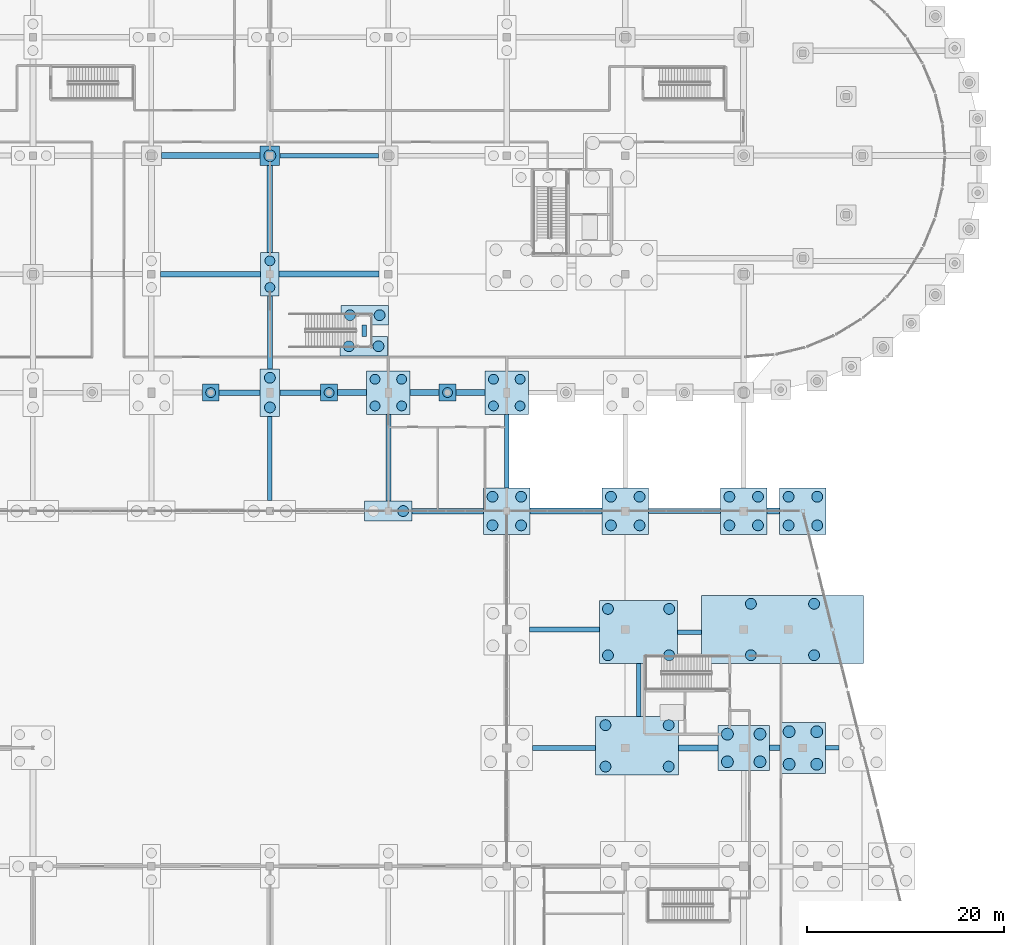
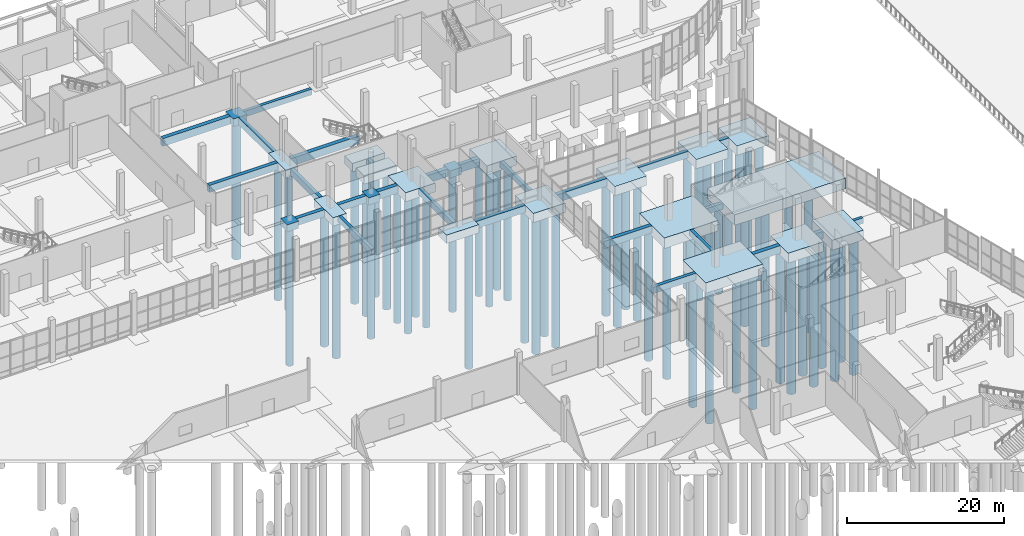
# One storey, part 10 of 117: 57 piles, 46 footings.
"""IFC4 building model written with IfcOpenShell, lengths in metres."""

from ifc_helpers import new_model, si_unit, direction, frame, origin, origin_2d, place, context, subcontext, project, spatial, rectangle, circle, extrude, material, material_profile, profile_set, type_object, element, save


model = new_model("IFC4")

# Units and contexts
model_context = context("Model", 3, precision=1e-05, world=origin(), true_north=direction((0.0, 1.0)))
body_context = subcontext(model_context, "Body", "Model", "MODEL_VIEW")
ifc_project = project(units=[si_unit("LENGTHUNIT", "METRE"), si_unit("AREAUNIT", "SQUARE_METRE"), si_unit("VOLUMEUNIT", "CUBIC_METRE"), si_unit("PLANEANGLEUNIT", "RADIAN"), si_unit("MASSUNIT", "GRAM", prefix="KILO")], contexts=[model_context])

# Site, building, storey
site_placement = place(None, origin())
site = spatial("IfcSite", under=ifc_project, at=site_placement, CompositionType="ELEMENT")
building_placement = place(site_placement, origin())
building = spatial("IfcBuilding", under=site, at=building_placement, Name="Kamomehara Wholesale Market", CompositionType="ELEMENT")
storey_placement = place(building_placement, origin())
storey = spatial("IfcBuildingStorey", under=building, at=storey_placement, Name="L00", CompositionType="ELEMENT", Elevation=0.0)

# Footings
ifc_material_1 = material(Name="Concrete Fc30 (C30/37)", Category="concrete")
footing_type_1 = type_object("IfcFootingType", Name="CAP-1P-1700", PredefinedType="PILE_CAP", material=ifc_material_1)
for number, where, z_axis, x_axis, name in (
    (1, (126.0, 108.0, -1.10009765625), (0.0, 0.0, 1.0), (1.0, 0.0, 0.0), "Pile cap PC-01"),
    (2, (138.0, 108.0, -1.10009765625), (0.0, 0.0, 1.0), (1.0, 0.0, 0.0), "Pile cap PC-01"),
    (3, (150.0, 108.0, -1.10009765625), (0.0, 0.0, 1.0), (1.0, 0.0, 0.0), "Pile cap PC-01"),
):
    element("IfcFooting", number, at=place(storey_placement, frame(where, z_axis=z_axis, x_axis=x_axis)), inside=storey, type_object=footing_type_1, Name=name, PredefinedType="PILE_CAP", context=body_context, shape_type="SweptSolid", body=[
        extrude(rectangle(XDim=1.699951171875, YDim=1.699951171875, at=origin_2d()), origin(), (0.0, 0.0, 1.0), 1.10009765625),
    ])
ifc_material_2 = material(Name="Concrete Fc30 (C30/37)", Category="concrete")
footing_type_2 = type_object("IfcFootingType", Name="CAP-1P-2000", PredefinedType="PILE_CAP", material=ifc_material_2)
footing_1_placement = place(storey_placement, frame((132.0, 132.0, -1.2001953125), z_axis=(0.0, 0.0, 1.0), x_axis=(1.0, 0.0, 0.0)))
element("IfcFooting", 4, at=footing_1_placement, inside=storey, type_object=footing_type_2, Name="Pile cap PC-03", PredefinedType="PILE_CAP", context=body_context, shape_type="SweptSolid", body=[
    extrude(rectangle(XDim=2.0, YDim=2.0, at=origin_2d()), origin(), (0.0, 0.0, 1.0), 1.199951171875),
])
ifc_material_3 = material(Name="Concrete Fc30 (C30/37)", Category="concrete")
footing_type_3 = type_object("IfcFootingType", Name="CAP-2PX-4800", PredefinedType="PILE_CAP", material=ifc_material_3)
for number, where, z_axis, x_axis, name in (
    (5, (141.501953125, 112.699951171875, -1.2998046875), (0.0, 0.0, 1.0), (1.0, 0.0, 0.0), "Pile cap PC-06"),
    (6, (141.614990234375, 115.840087890625, -1.2998046875), (0.0, 0.0, 1.0), (1.0, 0.0, 0.0), "Pile cap PC-06"),
    (7, (144.0, 96.0, -1.2998046875), (0.0, 0.0, 1.0), (1.0, 0.0, 0.0), "Pile cap PC-06"),
):
    element("IfcFooting", number, at=place(storey_placement, frame(where, z_axis=z_axis, x_axis=x_axis)), inside=storey, type_object=footing_type_3, Name=name, PredefinedType="PILE_CAP", context=body_context, shape_type="SweptSolid", body=[
        extrude(rectangle(XDim=4.800048828125, YDim=2.0, at=origin_2d()), origin(), (0.0, 0.0, 1.0), 1.300048828125),
    ])
ifc_material_4 = material(Name="Concrete Fc30 (C30/37)", Category="concrete")
footing_type_4 = type_object("IfcFootingType", Name="CAP-2PY-4400", PredefinedType="PILE_CAP", material=ifc_material_4)
footing_2_placement = place(storey_placement, frame((132.0, 120.0, -1.25), z_axis=(0.0, 0.0, 1.0), x_axis=(1.0, 0.0, 0.0)))
element("IfcFooting", 8, at=footing_2_placement, inside=storey, type_object=footing_type_4, Name="Pile cap PC-05", PredefinedType="PILE_CAP", context=body_context, shape_type="SweptSolid", body=[
    extrude(rectangle(XDim=1.85009765625, YDim=4.39990234375, at=origin_2d()), origin(), (0.0, 0.0, 1.0), 1.25),
])
ifc_material_5 = material(Name="Concrete Fc30 (C30/37)", Category="concrete")
footing_type_5 = type_object("IfcFootingType", Name="CAP-2PY-4800", PredefinedType="PILE_CAP", material=ifc_material_5)
footing_3_placement = place(storey_placement, frame((132.0, 108.0, -1.2998046875), z_axis=(0.0, 0.0, 1.0), x_axis=(1.0, 0.0, 0.0)))
element("IfcFooting", 9, at=footing_3_placement, inside=storey, type_object=footing_type_5, Name="Pile cap PC-07", PredefinedType="PILE_CAP", context=body_context, shape_type="SweptSolid", body=[
    extrude(rectangle(XDim=2.0, YDim=4.800048828125, at=origin_2d()), origin(), (0.0, 0.0, 1.0), 1.300048828125),
])
ifc_material_6 = material(Name="Concrete Fc30 (C30/37)", Category="concrete")
footing_type_6 = type_object("IfcFootingType", Name="CAP-4P-4400", PredefinedType="PILE_CAP", material=ifc_material_6)
for number, where, z_axis, x_axis, name in (
    (10, (144.0, 108.0, -1.39990234375), (0.0, 0.0, 1.0), (1.0, 0.0, 0.0), "Pile cap PC-10"),
    (11, (156.0, 108.0, -1.39990234375), (0.0, 0.0, 1.0), (1.0, 0.0, 0.0), "Pile cap PC-10"),
):
    element("IfcFooting", number, at=place(storey_placement, frame(where, z_axis=z_axis, x_axis=x_axis)), inside=storey, type_object=footing_type_6, Name=name, PredefinedType="PILE_CAP", context=body_context, shape_type="SweptSolid", body=[
        extrude(rectangle(XDim=4.39990234375, YDim=4.39990234375, at=origin_2d()), origin(), (0.0, 0.0, 1.0), 1.39990234375),
    ])
ifc_material_7 = material(Name="Concrete Fc30 (C30/37)", Category="concrete")
footing_type_7 = type_object("IfcFootingType", Name="CAP-4P-4700", PredefinedType="PILE_CAP", material=ifc_material_7)
for number, where, z_axis, x_axis, name in (
    (12, (156.0, 96.0, -1.4501953125), (0.0, 0.0, 1.0), (1.0, 0.0, 0.0), "Pile cap PC-11"),
    (13, (168.0, 96.0, -1.4501953125), (0.0, 0.0, 1.0), (1.0, 0.0, 0.0), "Pile cap PC-11"),
    (14, (180.0, 96.0, -1.4501953125), (0.0, 0.0, 1.0), (1.0, 0.0, 0.0), "Pile cap PC-11"),
    (15, (186.0, 96.0, -1.4501953125), (0.0, 0.0, 1.0), (1.0, 0.0, 0.0), "Pile cap PC-11"),
):
    element("IfcFooting", number, at=place(storey_placement, frame(where, z_axis=z_axis, x_axis=x_axis)), inside=storey, type_object=footing_type_7, Name=name, PredefinedType="PILE_CAP", context=body_context, shape_type="SweptSolid", body=[
        extrude(rectangle(XDim=4.699951171875, YDim=4.699951171875, at=origin_2d()), origin(), (0.0, 0.0, 1.0), 1.449951171875),
    ])
ifc_material_8 = material(Name="Concrete Fc30 (C30/37)", Category="concrete")
footing_type_8 = type_object("IfcFootingType", Name="CAP-4PR-4600", PredefinedType="PILE_CAP", material=ifc_material_8)
footing_4_placement = place(storey_placement, frame((186.0, 72.0, -1.5498046875), z_axis=(0.0, 0.0, 1.0), x_axis=(1.0, 0.0, 0.0)))
element("IfcFooting", 16, at=footing_4_placement, inside=storey, type_object=footing_type_8, Name="Pile cap PC-16", PredefinedType="PILE_CAP", context=body_context, shape_type="SweptSolid", body=[
    extrude(rectangle(XDim=4.60009765625, YDim=5.199951171875, at=origin_2d()), origin(), (0.0, 0.0, 1.0), 1.550048828125),
])
ifc_material_9 = material(Name="Concrete Fc30 (C30/37)", Category="concrete")
footing_type_9 = type_object("IfcFootingType", Name="CAP-4PR-5200", PredefinedType="PILE_CAP", material=ifc_material_9)
footing_5_placement = place(storey_placement, frame((180.0, 72.0, -1.5498046875), z_axis=(0.0, 0.0, 1.0), x_axis=(1.0, 0.0, 0.0)))
element("IfcFooting", 17, at=footing_5_placement, inside=storey, type_object=footing_type_9, Name="Pile cap PC-15", PredefinedType="PILE_CAP", context=body_context, shape_type="SweptSolid", body=[
    extrude(rectangle(XDim=5.199951171875, YDim=4.60009765625, at=origin_2d()), origin(), (0.0, 0.0, 1.0), 1.550048828125),
])
ifc_material_10 = material(Name="Concrete Fc30 (C30/37)", Category="concrete")
footing_type_10 = type_object("IfcFootingType", Name="CAP-CMB-1640x690", PredefinedType="PILE_CAP", material=ifc_material_10)
footing_6_placement = place(storey_placement, frame((183.930908203125, 84.0, -1.64990234375), z_axis=(0.0, 0.0, 1.0), x_axis=(1.0, 0.0, 0.0)))
element("IfcFooting", 18, at=footing_6_placement, inside=storey, type_object=footing_type_10, Name="Pile cap PCC-164x69", PredefinedType="PILE_CAP", context=body_context, shape_type="SweptSolid", body=[
    extrude(rectangle(XDim=16.39990234375, YDim=6.89990234375, at=origin_2d()), origin(), (0.0, 0.0, 1.0), 1.64990234375),
])
ifc_material_11 = material(Name="Concrete Fc30 (C30/37)", Category="concrete")
footing_type_11 = type_object("IfcFootingType", Name="CAP-CMB-790x640", PredefinedType="PILE_CAP", material=ifc_material_11)
footing_7_placement = place(storey_placement, frame((169.35009765625, 83.737060546875, -1.64990234375), z_axis=(0.0, 0.0, 1.0), x_axis=(1.0, 0.0, 0.0)))
element("IfcFooting", 19, at=footing_7_placement, inside=storey, type_object=footing_type_11, Name="Pile cap PCC-79x64", PredefinedType="PILE_CAP", context=body_context, shape_type="SweptSolid", body=[
    extrude(rectangle(XDim=7.89990234375, YDim=6.39990234375, at=origin_2d()), origin(), (0.0, 0.0, 1.0), 1.64990234375),
])
ifc_material_12 = material(Name="Concrete Fc30 (C30/37)", Category="concrete")
footing_type_12 = type_object("IfcFootingType", Name="CAP-CMB-840x590", PredefinedType="PILE_CAP", material=ifc_material_12)
footing_8_placement = place(storey_placement, frame((169.199951171875, 72.212890625, -1.64990234375), z_axis=(0.0, 0.0, 1.0), x_axis=(1.0, 0.0, 0.0)))
element("IfcFooting", 20, at=footing_8_placement, inside=storey, type_object=footing_type_12, Name="Pile cap PCC-84x59", PredefinedType="PILE_CAP", context=body_context, shape_type="SweptSolid", body=[
    extrude(rectangle(XDim=8.39990234375, YDim=5.89990234375, at=origin_2d()), origin(), (0.0, 0.0, 1.0), 1.64990234375),
])
ifc_material_13 = material(Name="Concrete Fc30 (C30/37)", Category="concrete")
ifc_material_profile_1 = material_profile(ifc_material_13, rectangle(XDim=0.449951171875, YDim=0.89990234375, at=origin_2d()), Name="RC-FTB-450x900")
ifc_profile_set_1 = profile_set([ifc_material_profile_1], Name="Concrete Fc30 (C30/37)")
footing_type_13 = type_object("IfcFootingType", Name="FTB-450x900", PredefinedType="FOOTING_BEAM", material=ifc_profile_set_1)
footing_9_placement = place(storey_placement, frame((133.001953125, 132.0, -0.449951171875), z_axis=(1.0, 0.0, 0.0), x_axis=(0.0, 1.0, 0.0)))
element("IfcFooting", 21, at=footing_9_placement, inside=storey, type_object=footing_type_13, Name="Foundation tie beam 139", PredefinedType="FOOTING_BEAM", context=body_context, shape_type="SweptSolid", body=[
    extrude(rectangle(XDim=0.449951171875, YDim=0.89990234375, at=origin_2d()), origin(), (0.0, 0.0, 1.0), 9.99609375),
])
footing_10_placement = place(storey_placement, frame((173.302001953125, 83.742919921875, -0.449951171875), z_axis=(1.0, 0.0, 0.0), x_axis=(0.0, 1.0, 0.0)))
element("IfcFooting", 22, at=footing_10_placement, inside=storey, type_object=footing_type_13, Name="Foundation tie beam 175", PredefinedType="FOOTING_BEAM", context=body_context, shape_type="SweptSolid", body=[
    extrude(rectangle(XDim=0.449951171875, YDim=0.89990234375, at=origin_2d()), origin(), (0.0, 0.0, 1.0), 2.427001953125),
])
footing_11_placement = place(storey_placement, frame((188.302001953125, 72.0, -0.449951171875), z_axis=(1.0, 0.0, 0.0), x_axis=(0.0, 1.0, 0.0)))
element("IfcFooting", 23, at=footing_11_placement, inside=storey, type_object=footing_type_13, Name="Foundation tie beam 195", PredefinedType="FOOTING_BEAM", context=body_context, shape_type="SweptSolid", body=[
    extrude(rectangle(XDim=0.449951171875, YDim=0.89990234375, at=origin_2d()), origin(), (0.0, 0.0, 1.0), 1.345947265625),
])
footing_12_placement = place(storey_placement, frame((132.0, 97.076904296875, -0.449951171875), z_axis=(0.0, 1.0, 0.0), x_axis=(-1.0, 0.0, 0.0)))
element("IfcFooting", 24, at=footing_12_placement, inside=storey, type_object=footing_type_13, Name="Foundation tie beam 303", PredefinedType="FOOTING_BEAM", context=body_context, shape_type="SweptSolid", body=[
    extrude(rectangle(XDim=0.449951171875, YDim=0.89990234375, at=origin_2d()), origin(), (0.0, 0.0, 1.0), 8.52099609375),
])
footing_13_placement = place(storey_placement, frame((156.0, 98.35205078125, -0.449951171875), z_axis=(0.0, 1.0, 0.0), x_axis=(-1.0, 0.0, 0.0)))
element("IfcFooting", 25, at=footing_13_placement, inside=storey, type_object=footing_type_13, Name="Foundation tie beam 323", PredefinedType="FOOTING_BEAM", context=body_context, shape_type="SweptSolid", body=[
    extrude(rectangle(XDim=0.449951171875, YDim=0.89990234375, at=origin_2d()), origin(), (0.0, 0.0, 1.0), 7.446044921875),
])
footing_14_placement = place(storey_placement, frame((169.35009765625, 75.1650390625, -0.449951171875), z_axis=(0.0, 1.0, 0.0), x_axis=(-1.0, 0.0, 0.0)))
element("IfcFooting", 26, at=footing_14_placement, inside=storey, type_object=footing_type_13, Name="Foundation tie beam 331", PredefinedType="FOOTING_BEAM", context=body_context, shape_type="SweptSolid", body=[
    extrude(rectangle(XDim=0.449951171875, YDim=0.89990234375, at=origin_2d()), origin(), (0.0, 0.0, 1.0), 5.369873046875),
])
ifc_material_14 = material(Name="Concrete Fc30 (C30/37)", Category="concrete")
ifc_material_profile_2 = material_profile(ifc_material_14, rectangle(XDim=0.5, YDim=1.0, at=origin_2d()), Name="RC-FTB-500x1000")
ifc_profile_set_2 = profile_set([ifc_material_profile_2], Name="Concrete Fc30 (C30/37)")
footing_type_14 = type_object("IfcFootingType", Name="FTB-500x1000", PredefinedType="FOOTING_BEAM", material=ifc_profile_set_2)
footing_15_placement = place(storey_placement, frame((158.60205078125, 72.0, -0.5), z_axis=(1.0, 0.0, 0.0), x_axis=(0.0, 1.0, 0.0)))
element("IfcFooting", 27, at=footing_15_placement, inside=storey, type_object=footing_type_14, Name="Foundation tie beam 160", PredefinedType="FOOTING_BEAM", context=body_context, shape_type="SweptSolid", body=[
    extrude(rectangle(XDim=0.5, YDim=1.0, at=origin_2d()), origin(), (0.0, 0.0, 1.0), 6.39599609375),
])
footing_16_placement = place(storey_placement, frame((170.35205078125, 96.0, -0.5), z_axis=(1.0, 0.0, 0.0), x_axis=(0.0, 1.0, 0.0)))
element("IfcFooting", 28, at=footing_16_placement, inside=storey, type_object=footing_type_14, Name="Foundation tie beam 176", PredefinedType="FOOTING_BEAM", context=body_context, shape_type="SweptSolid", body=[
    extrude(rectangle(XDim=0.5, YDim=1.0, at=origin_2d()), origin(), (0.0, 0.0, 1.0), 7.2958984375),
])
footing_17_placement = place(storey_placement, frame((132.0, 110.402099609375, -0.5), z_axis=(0.0, 1.0, 0.0), x_axis=(-1.0, 0.0, 0.0)))
element("IfcFooting", 29, at=footing_17_placement, inside=storey, type_object=footing_type_14, Name="Foundation tie beam 304", PredefinedType="FOOTING_BEAM", context=body_context, shape_type="SweptSolid", body=[
    extrude(rectangle(XDim=0.5, YDim=1.0, at=origin_2d()), origin(), (0.0, 0.0, 1.0), 7.39599609375),
])
footing_18_placement = place(storey_placement, frame((141.55908203125, 113.701904296875, -0.5), z_axis=(0.0, 1.0, 0.0), x_axis=(-1.0, 0.0, 0.0)))
element("IfcFooting", 30, at=footing_18_placement, inside=storey, type_object=footing_type_14, Name="Foundation tie beam 308", PredefinedType="FOOTING_BEAM", context=body_context, shape_type="SweptSolid", body=[
    extrude(rectangle(XDim=0.5, YDim=1.0, at=origin_2d()), origin(), (0.0, 0.0, 1.0), 1.135986328125),
])
footing_19_placement = place(storey_placement, frame((144.0, 97.001953125, -0.5), z_axis=(0.0, 1.0, 0.0), x_axis=(-1.0, 0.0, 0.0)))
element("IfcFooting", 31, at=footing_19_placement, inside=storey, type_object=footing_type_14, Name="Foundation tie beam 312", PredefinedType="FOOTING_BEAM", context=body_context, shape_type="SweptSolid", body=[
    extrude(rectangle(XDim=0.5, YDim=1.0, at=origin_2d()), origin(), (0.0, 0.0, 1.0), 8.796142578125),
])
ifc_material_15 = material(Name="Concrete Fc30 (C30/37)", Category="concrete")
ifc_material_profile_3 = material_profile(ifc_material_15, rectangle(XDim=0.550048828125, YDim=1.10009765625, at=origin_2d()), Name="RC-FTB-550x1100")
ifc_profile_set_3 = profile_set([ifc_material_profile_3], Name="Concrete Fc30 (C30/37)")
footing_type_15 = type_object("IfcFootingType", Name="FTB-550x1100", PredefinedType="FOOTING_BEAM", material=ifc_profile_set_3)
footing_20_placement = place(storey_placement, frame((120.927001953125, 120.0, -0.550048828125), z_axis=(1.0, 0.0, 0.0), x_axis=(0.0, 1.0, 0.0)))
element("IfcFooting", 32, at=footing_20_placement, inside=storey, type_object=footing_type_15, Name="Foundation tie beam 125", PredefinedType="FOOTING_BEAM", context=body_context, shape_type="SweptSolid", body=[
    extrude(rectangle(XDim=0.550048828125, YDim=1.10009765625, at=origin_2d()), origin(), (0.0, 0.0, 1.0), 10.14599609375),
])
for number, where, z_axis, x_axis, name in (
    (33, (126.85205078125, 108.0, -0.550048828125), (1.0, 0.0, 0.0), (0.0, 1.0, 0.0), "Foundation tie beam 129"),
    (34, (133.001953125, 108.0, -0.550048828125), (1.0, 0.0, 0.0), (0.0, 1.0, 0.0), "Foundation tie beam 137"),
):
    element("IfcFooting", number, at=place(storey_placement, frame(where, z_axis=z_axis, x_axis=x_axis)), inside=storey, type_object=footing_type_15, Name=name, PredefinedType="FOOTING_BEAM", context=body_context, shape_type="SweptSolid", body=[
        extrude(rectangle(XDim=0.550048828125, YDim=1.10009765625, at=origin_2d()), origin(), (0.0, 0.0, 1.0), 4.14599609375),
    ])
footing_21_placement = place(storey_placement, frame((146.402099609375, 96.0, -0.550048828125), z_axis=(1.0, 0.0, 0.0), x_axis=(0.0, 1.0, 0.0)))
element("IfcFooting", 35, at=footing_21_placement, inside=storey, type_object=footing_type_15, Name="Foundation tie beam 149", PredefinedType="FOOTING_BEAM", context=body_context, shape_type="SweptSolid", body=[
    extrude(rectangle(XDim=0.550048828125, YDim=1.10009765625, at=origin_2d()), origin(), (0.0, 0.0, 1.0), 7.245849609375),
])
footing_22_placement = place(storey_placement, frame((158.302001953125, 84.0, -0.550048828125), z_axis=(1.0, 0.0, 0.0), x_axis=(0.0, 1.0, 0.0)))
element("IfcFooting", 36, at=footing_22_placement, inside=storey, type_object=footing_type_15, Name="Foundation tie beam 161", PredefinedType="FOOTING_BEAM", context=body_context, shape_type="SweptSolid", body=[
    extrude(rectangle(XDim=0.550048828125, YDim=1.10009765625, at=origin_2d()), origin(), (0.0, 0.0, 1.0), 7.095947265625),
])
footing_23_placement = place(storey_placement, frame((182.60205078125, 72.0, -0.550048828125), z_axis=(1.0, 0.0, 0.0), x_axis=(0.0, 1.0, 0.0)))
element("IfcFooting", 37, at=footing_23_placement, inside=storey, type_object=footing_type_15, Name="Foundation tie beam 189", PredefinedType="FOOTING_BEAM", context=body_context, shape_type="SweptSolid", body=[
    extrude(rectangle(XDim=0.550048828125, YDim=1.10009765625, at=origin_2d()), origin(), (0.0, 0.0, 1.0), 1.095947265625),
])
footing_24_placement = place(storey_placement, frame((132.0, 122.201904296875, -0.550048828125), z_axis=(0.0, 1.0, 0.0), x_axis=(-1.0, 0.0, 0.0)))
element("IfcFooting", 38, at=footing_24_placement, inside=storey, type_object=footing_type_15, Name="Foundation tie beam 305", PredefinedType="FOOTING_BEAM", context=body_context, shape_type="SweptSolid", body=[
    extrude(rectangle(XDim=0.550048828125, YDim=1.10009765625, at=origin_2d()), origin(), (0.0, 0.0, 1.0), 8.796142578125),
])
ifc_material_16 = material(Name="Concrete Fc30 (C30/37)", Category="concrete")
ifc_material_profile_4 = material_profile(ifc_material_16, rectangle(XDim=0.60009765625, YDim=1.199951171875, at=origin_2d()), Name="RC-FTB-600x1200")
ifc_profile_set_4 = profile_set([ifc_material_profile_4], Name="Concrete Fc30 (C30/37)")
footing_type_16 = type_object("IfcFootingType", Name="FTB-600x1200", PredefinedType="FOOTING_BEAM", material=ifc_profile_set_4)
footing_25_placement = place(storey_placement, frame((121.001953125, 132.0, -0.60009765625), z_axis=(1.0, 0.0, 0.0), x_axis=(0.0, 1.0, 0.0)))
element("IfcFooting", 39, at=footing_25_placement, inside=storey, type_object=footing_type_16, Name="Foundation tie beam 126", PredefinedType="FOOTING_BEAM", context=body_context, shape_type="SweptSolid", body=[
    extrude(rectangle(XDim=0.60009765625, YDim=1.199951171875, at=origin_2d()), origin(), (0.0, 0.0, 1.0), 9.99609375),
])
footing_26_placement = place(storey_placement, frame((132.927001953125, 120.0, -0.60009765625), z_axis=(1.0, 0.0, 0.0), x_axis=(0.0, 1.0, 0.0)))
element("IfcFooting", 40, at=footing_26_placement, inside=storey, type_object=footing_type_16, Name="Foundation tie beam 138", PredefinedType="FOOTING_BEAM", context=body_context, shape_type="SweptSolid", body=[
    extrude(rectangle(XDim=0.60009765625, YDim=1.199951171875, at=origin_2d()), origin(), (0.0, 0.0, 1.0), 10.14599609375),
])
for number, where, z_axis, x_axis, name in (
    (41, (138.85205078125, 108.0, -0.60009765625), (1.0, 0.0, 0.0), (0.0, 1.0, 0.0), "Foundation tie beam 142"),
    (42, (146.201904296875, 108.0, -0.60009765625), (1.0, 0.0, 0.0), (0.0, 1.0, 0.0), "Foundation tie beam 150"),
    (43, (150.85205078125, 108.0, -0.60009765625), (1.0, 0.0, 0.0), (0.0, 1.0, 0.0), "Foundation tie beam 154"),
):
    element("IfcFooting", number, at=place(storey_placement, frame(where, z_axis=z_axis, x_axis=x_axis)), inside=storey, type_object=footing_type_16, Name=name, PredefinedType="FOOTING_BEAM", context=body_context, shape_type="SweptSolid", body=[
        extrude(rectangle(XDim=0.60009765625, YDim=1.199951171875, at=origin_2d()), origin(), (0.0, 0.0, 1.0), 2.946044921875),
    ])
footing_27_placement = place(storey_placement, frame((158.35205078125, 96.0, -0.60009765625), z_axis=(1.0, 0.0, 0.0), x_axis=(0.0, 1.0, 0.0)))
element("IfcFooting", 44, at=footing_27_placement, inside=storey, type_object=footing_type_16, Name="Foundation tie beam 162", PredefinedType="FOOTING_BEAM", context=body_context, shape_type="SweptSolid", body=[
    extrude(rectangle(XDim=0.60009765625, YDim=1.199951171875, at=origin_2d()), origin(), (0.0, 0.0, 1.0), 7.2958984375),
])
footing_28_placement = place(storey_placement, frame((173.402099609375, 72.0, -0.60009765625), z_axis=(1.0, 0.0, 0.0), x_axis=(0.0, 1.0, 0.0)))
element("IfcFooting", 45, at=footing_28_placement, inside=storey, type_object=footing_type_16, Name="Foundation tie beam 174", PredefinedType="FOOTING_BEAM", context=body_context, shape_type="SweptSolid", body=[
    extrude(rectangle(XDim=0.60009765625, YDim=1.199951171875, at=origin_2d()), origin(), (0.0, 0.0, 1.0), 3.995849609375),
])
footing_29_placement = place(storey_placement, frame((182.35205078125, 96.0, -0.60009765625), z_axis=(1.0, 0.0, 0.0), x_axis=(0.0, 1.0, 0.0)))
element("IfcFooting", 46, at=footing_29_placement, inside=storey, type_object=footing_type_16, Name="Foundation tie beam 190", PredefinedType="FOOTING_BEAM", context=body_context, shape_type="SweptSolid", body=[
    extrude(rectangle(XDim=0.60009765625, YDim=1.199951171875, at=origin_2d()), origin(), (0.0, 0.0, 1.0), 1.2958984375),
])

# Piles
ifc_material_17 = material(Name="Concrete Fc30 (C30/37)", Category="concrete")
ifc_material_profile_5 = material_profile(ifc_material_17, circle(Radius=0.5, at=origin_2d()), Name="RC-PILE-D1000")
ifc_profile_set_5 = profile_set([ifc_material_profile_5], Name="Concrete Fc30 (C30/37)")
pile_type_1 = type_object("IfcPileType", Name="PILE-D1000", PredefinedType="BORED", material=ifc_profile_set_5)
pile_1_placement = place(storey_placement, frame((126.0, 108.0, -1.0), z_axis=(0.0, 0.0, -1.0), x_axis=(1.0, 0.0, 0.0)))
element("IfcPile", 47, at=pile_1_placement, inside=storey, type_object=pile_type_1, Name="Bored pile 143.410", PredefinedType="BORED", context=body_context, shape_type="SweptSolid", body=[
    extrude(circle(Radius=0.5, at=origin_2d()), origin(), (0.0, 0.0, 1.0), 21.5),
])
for number, where, z_axis, x_axis, name in (
    (48, (132.0, 118.64990234375, -1.14990234375), (0.0, 0.0, -1.0), (1.0, 0.0, 0.0), "Bored pile 153.436"),
    (49, (132.0, 121.35009765625, -1.14990234375), (0.0, 0.0, -1.0), (1.0, 0.0, 0.0), "Bored pile 153.437"),
):
    element("IfcPile", number, at=place(storey_placement, frame(where, z_axis=z_axis, x_axis=x_axis)), inside=storey, type_object=pile_type_1, Name=name, PredefinedType="BORED", context=body_context, shape_type="SweptSolid", body=[
        extrude(circle(Radius=0.5, at=origin_2d()), origin(), (0.0, 0.0, 1.0), 21.35009765625),
    ])
pile_2_placement = place(storey_placement, frame((138.0, 108.0, -1.0), z_axis=(0.0, 0.0, -1.0), x_axis=(1.0, 0.0, 0.0)))
element("IfcPile", 50, at=pile_2_placement, inside=storey, type_object=pile_type_1, Name="Bored pile 157.443", PredefinedType="BORED", context=body_context, shape_type="SweptSolid", body=[
    extrude(circle(Radius=0.5, at=origin_2d()), origin(), (0.0, 0.0, 1.0), 21.5),
])
for number, where, z_axis, x_axis, name in (
    (51, (142.64990234375, 106.64990234375, -1.300048828125), (0.0, 0.0, -1.0), (1.0, 0.0, 0.0), "Bored pile 167.469"),
    (52, (145.35009765625, 106.64990234375, -1.300048828125), (0.0, 0.0, -1.0), (1.0, 0.0, 0.0), "Bored pile 167.470"),
    (53, (142.64990234375, 109.35009765625, -1.300048828125), (0.0, 0.0, -1.0), (1.0, 0.0, 0.0), "Bored pile 167.471"),
    (54, (145.35009765625, 109.35009765625, -1.300048828125), (0.0, 0.0, -1.0), (1.0, 0.0, 0.0), "Bored pile 167.472"),
):
    element("IfcPile", number, at=place(storey_placement, frame(where, z_axis=z_axis, x_axis=x_axis)), inside=storey, type_object=pile_type_1, Name=name, PredefinedType="BORED", context=body_context, shape_type="SweptSolid", body=[
        extrude(circle(Radius=0.5, at=origin_2d()), origin(), (0.0, 0.0, 1.0), 21.199951171875),
    ])
pile_3_placement = place(storey_placement, frame((150.0, 108.0, -1.0), z_axis=(0.0, 0.0, -1.0), x_axis=(1.0, 0.0, 0.0)))
element("IfcPile", 55, at=pile_3_placement, inside=storey, type_object=pile_type_1, Name="Bored pile 172.482", PredefinedType="BORED", context=body_context, shape_type="SweptSolid", body=[
    extrude(circle(Radius=0.5, at=origin_2d()), origin(), (0.0, 0.0, 1.0), 21.5),
])
for number, where, z_axis, x_axis, name in (
    (56, (154.64990234375, 106.64990234375, -1.300048828125), (0.0, 0.0, -1.0), (1.0, 0.0, 0.0), "Bored pile 182.516"),
    (57, (157.35009765625, 106.64990234375, -1.300048828125), (0.0, 0.0, -1.0), (1.0, 0.0, 0.0), "Bored pile 182.517"),
    (58, (154.64990234375, 109.35009765625, -1.300048828125), (0.0, 0.0, -1.0), (1.0, 0.0, 0.0), "Bored pile 182.518"),
    (59, (157.35009765625, 109.35009765625, -1.300048828125), (0.0, 0.0, -1.0), (1.0, 0.0, 0.0), "Bored pile 182.519"),
):
    element("IfcPile", number, at=place(storey_placement, frame(where, z_axis=z_axis, x_axis=x_axis)), inside=storey, type_object=pile_type_1, Name=name, PredefinedType="BORED", context=body_context, shape_type="SweptSolid", body=[
        extrude(circle(Radius=0.5, at=origin_2d()), origin(), (0.0, 0.0, 1.0), 21.199951171875),
    ])
ifc_material_18 = material(Name="Concrete Fc30 (C30/37)", Category="concrete")
ifc_material_profile_6 = material_profile(ifc_material_18, circle(Radius=0.550048828125, at=origin_2d()), Name="RC-PILE-D1100")
ifc_profile_set_6 = profile_set([ifc_material_profile_6], Name="Concrete Fc30 (C30/37)")
pile_type_2 = type_object("IfcPileType", Name="PILE-D1100", PredefinedType="BORED", material=ifc_profile_set_6)
for number, where, z_axis, x_axis, name in (
    (60, (132.0, 106.5, -1.199951171875), (0.0, 0.0, -1.0), (1.0, 0.0, 0.0), "Bored pile 152.434"),
    (61, (132.0, 109.5, -1.199951171875), (0.0, 0.0, -1.0), (1.0, 0.0, 0.0), "Bored pile 152.435"),
    (62, (140.001953125, 112.699951171875, -1.199951171875), (0.0, 0.0, -1.0), (1.0, 0.0, 0.0), "Bored pile 159.445"),
    (63, (143.001953125, 112.699951171875, -1.199951171875), (0.0, 0.0, -1.0), (1.0, 0.0, 0.0), "Bored pile 159.446"),
    (64, (140.114990234375, 115.840087890625, -1.199951171875), (0.0, 0.0, -1.0), (1.0, 0.0, 0.0), "Bored pile 160.447"),
    (65, (143.114990234375, 115.840087890625, -1.199951171875), (0.0, 0.0, -1.0), (1.0, 0.0, 0.0), "Bored pile 160.448"),
    (66, (145.5, 96.0, -1.199951171875), (0.0, 0.0, -1.0), (1.0, 0.0, 0.0), "Bored pile 166.468"),
):
    element("IfcPile", number, at=place(storey_placement, frame(where, z_axis=z_axis, x_axis=x_axis)), inside=storey, type_object=pile_type_2, Name=name, PredefinedType="BORED", context=body_context, shape_type="SweptSolid", body=[
        extrude(circle(Radius=0.550048828125, at=origin_2d()), origin(), (0.0, 0.0, 1.0), 21.300048828125),
    ])
for number, where, z_axis, x_axis, name in (
    (67, (154.550048828125, 94.550048828125, -1.35009765625), (0.0, 0.0, -1.0), (1.0, 0.0, 0.0), "Bored pile 181.512"),
    (68, (157.449951171875, 94.550048828125, -1.35009765625), (0.0, 0.0, -1.0), (1.0, 0.0, 0.0), "Bored pile 181.513"),
    (69, (154.550048828125, 97.449951171875, -1.35009765625), (0.0, 0.0, -1.0), (1.0, 0.0, 0.0), "Bored pile 181.514"),
    (70, (157.449951171875, 97.449951171875, -1.35009765625), (0.0, 0.0, -1.0), (1.0, 0.0, 0.0), "Bored pile 181.515"),
):
    element("IfcPile", number, at=place(storey_placement, frame(where, z_axis=z_axis, x_axis=x_axis)), inside=storey, type_object=pile_type_2, Name=name, PredefinedType="BORED", context=body_context, shape_type="SweptSolid", body=[
        extrude(circle(Radius=0.550048828125, at=origin_2d()), origin(), (0.0, 0.0, 1.0), 21.14990234375),
    ])
for number, where, z_axis, x_axis, name in (
    (71, (166.0, 70.113037109375, -1.550048828125), (0.0, 0.0, -1.0), (1.0, 0.0, 0.0), "Bored pile 194.556"),
    (72, (172.39990234375, 70.113037109375, -1.550048828125), (0.0, 0.0, -1.0), (1.0, 0.0, 0.0), "Bored pile 194.557"),
    (73, (166.0, 74.31298828125, -1.550048828125), (0.0, 0.0, -1.0), (1.0, 0.0, 0.0), "Bored pile 194.558"),
    (74, (172.39990234375, 74.31298828125, -1.550048828125), (0.0, 0.0, -1.0), (1.0, 0.0, 0.0), "Bored pile 194.559"),
    (75, (166.25, 81.386962890625, -1.550048828125), (0.0, 0.0, -1.0), (1.0, 0.0, 0.0), "Bored pile 195.560"),
    (76, (172.449951171875, 81.386962890625, -1.550048828125), (0.0, 0.0, -1.0), (1.0, 0.0, 0.0), "Bored pile 195.561"),
    (77, (166.25, 86.0869140625, -1.550048828125), (0.0, 0.0, -1.0), (1.0, 0.0, 0.0), "Bored pile 195.562"),
    (78, (172.449951171875, 86.0869140625, -1.550048828125), (0.0, 0.0, -1.0), (1.0, 0.0, 0.0), "Bored pile 195.563"),
):
    element("IfcPile", number, at=place(storey_placement, frame(where, z_axis=z_axis, x_axis=x_axis)), inside=storey, type_object=pile_type_2, Name=name, PredefinedType="BORED", context=body_context, shape_type="SweptSolid", body=[
        extrude(circle(Radius=0.550048828125, at=origin_2d()), origin(), (0.0, 0.0, 1.0), 20.949951171875),
    ])
for number, where, z_axis, x_axis, name in (
    (79, (166.550048828125, 94.550048828125, -1.35009765625), (0.0, 0.0, -1.0), (1.0, 0.0, 0.0), "Bored pile 196.564"),
    (80, (169.449951171875, 94.550048828125, -1.35009765625), (0.0, 0.0, -1.0), (1.0, 0.0, 0.0), "Bored pile 196.565"),
    (81, (166.550048828125, 97.449951171875, -1.35009765625), (0.0, 0.0, -1.0), (1.0, 0.0, 0.0), "Bored pile 196.566"),
    (82, (169.449951171875, 97.449951171875, -1.35009765625), (0.0, 0.0, -1.0), (1.0, 0.0, 0.0), "Bored pile 196.567"),
):
    element("IfcPile", number, at=place(storey_placement, frame(where, z_axis=z_axis, x_axis=x_axis)), inside=storey, type_object=pile_type_2, Name=name, PredefinedType="BORED", context=body_context, shape_type="SweptSolid", body=[
        extrude(circle(Radius=0.550048828125, at=origin_2d()), origin(), (0.0, 0.0, 1.0), 21.14990234375),
    ])
for number, where, z_axis, x_axis, name in (
    (83, (180.73095703125, 81.39990234375, -1.550048828125), (0.0, 0.0, -1.0), (1.0, 0.0, 0.0), "Bored pile 211.611"),
    (84, (187.131103515625, 81.39990234375, -1.550048828125), (0.0, 0.0, -1.0), (1.0, 0.0, 0.0), "Bored pile 211.612"),
    (85, (180.73095703125, 86.60009765625, -1.550048828125), (0.0, 0.0, -1.0), (1.0, 0.0, 0.0), "Bored pile 211.613"),
    (86, (187.131103515625, 86.60009765625, -1.550048828125), (0.0, 0.0, -1.0), (1.0, 0.0, 0.0), "Bored pile 211.614"),
):
    element("IfcPile", number, at=place(storey_placement, frame(where, z_axis=z_axis, x_axis=x_axis)), inside=storey, type_object=pile_type_2, Name=name, PredefinedType="BORED", context=body_context, shape_type="SweptSolid", body=[
        extrude(circle(Radius=0.550048828125, at=origin_2d()), origin(), (0.0, 0.0, 1.0), 20.949951171875),
    ])
for number, where, z_axis, x_axis, name in (
    (87, (178.550048828125, 94.550048828125, -1.35009765625), (0.0, 0.0, -1.0), (1.0, 0.0, 0.0), "Bored pile 212.615"),
    (88, (181.449951171875, 94.550048828125, -1.35009765625), (0.0, 0.0, -1.0), (1.0, 0.0, 0.0), "Bored pile 212.616"),
    (89, (178.550048828125, 97.449951171875, -1.35009765625), (0.0, 0.0, -1.0), (1.0, 0.0, 0.0), "Bored pile 212.617"),
    (90, (181.449951171875, 97.449951171875, -1.35009765625), (0.0, 0.0, -1.0), (1.0, 0.0, 0.0), "Bored pile 212.618"),
    (91, (184.550048828125, 94.550048828125, -1.35009765625), (0.0, 0.0, -1.0), (1.0, 0.0, 0.0), "Bored pile 223.636"),
    (92, (187.449951171875, 94.550048828125, -1.35009765625), (0.0, 0.0, -1.0), (1.0, 0.0, 0.0), "Bored pile 223.637"),
    (93, (184.550048828125, 97.449951171875, -1.35009765625), (0.0, 0.0, -1.0), (1.0, 0.0, 0.0), "Bored pile 223.638"),
    (94, (187.449951171875, 97.449951171875, -1.35009765625), (0.0, 0.0, -1.0), (1.0, 0.0, 0.0), "Bored pile 223.639"),
):
    element("IfcPile", number, at=place(storey_placement, frame(where, z_axis=z_axis, x_axis=x_axis)), inside=storey, type_object=pile_type_2, Name=name, PredefinedType="BORED", context=body_context, shape_type="SweptSolid", body=[
        extrude(circle(Radius=0.550048828125, at=origin_2d()), origin(), (0.0, 0.0, 1.0), 21.14990234375),
    ])
ifc_material_19 = material(Name="Concrete Fc30 (C30/37)", Category="concrete")
ifc_material_profile_7 = material_profile(ifc_material_19, circle(Radius=0.60009765625, at=origin_2d()), Name="RC-PILE-D1200")
ifc_profile_set_7 = profile_set([ifc_material_profile_7], Name="Concrete Fc30 (C30/37)")
pile_type_3 = type_object("IfcPileType", Name="PILE-D1200", PredefinedType="BORED", material=ifc_profile_set_7)
pile_4_placement = place(storey_placement, frame((132.0, 132.0, -1.10009765625), z_axis=(0.0, 0.0, -1.0), x_axis=(1.0, 0.0, 0.0)))
element("IfcPile", 95, at=pile_4_placement, inside=storey, type_object=pile_type_3, Name="Bored pile 154.438", PredefinedType="BORED", context=body_context, shape_type="SweptSolid", body=[
    extrude(circle(Radius=0.60009765625, at=origin_2d()), origin(), (0.0, 0.0, 1.0), 21.39990234375),
])
for number, where, z_axis, x_axis, name in (
    (96, (178.35009765625, 70.60009765625, -1.449951171875), (0.0, 0.0, -1.0), (1.0, 0.0, 0.0), "Bored pile 210.607"),
    (97, (181.64990234375, 70.60009765625, -1.449951171875), (0.0, 0.0, -1.0), (1.0, 0.0, 0.0), "Bored pile 210.608"),
    (98, (178.35009765625, 73.39990234375, -1.449951171875), (0.0, 0.0, -1.0), (1.0, 0.0, 0.0), "Bored pile 210.609"),
    (99, (181.64990234375, 73.39990234375, -1.449951171875), (0.0, 0.0, -1.0), (1.0, 0.0, 0.0), "Bored pile 210.610"),
    (100, (184.60009765625, 70.35009765625, -1.449951171875), (0.0, 0.0, -1.0), (1.0, 0.0, 0.0), "Bored pile 222.632"),
    (101, (187.39990234375, 70.35009765625, -1.449951171875), (0.0, 0.0, -1.0), (1.0, 0.0, 0.0), "Bored pile 222.633"),
    (102, (184.60009765625, 73.64990234375, -1.449951171875), (0.0, 0.0, -1.0), (1.0, 0.0, 0.0), "Bored pile 222.634"),
    (103, (187.39990234375, 73.64990234375, -1.449951171875), (0.0, 0.0, -1.0), (1.0, 0.0, 0.0), "Bored pile 222.635"),
):
    element("IfcPile", number, at=place(storey_placement, frame(where, z_axis=z_axis, x_axis=x_axis)), inside=storey, type_object=pile_type_3, Name=name, PredefinedType="BORED", context=body_context, shape_type="SweptSolid", body=[
        extrude(circle(Radius=0.60009765625, at=origin_2d()), origin(), (0.0, 0.0, 1.0), 21.050048828125),
    ])

save(model, "model.ifc")
